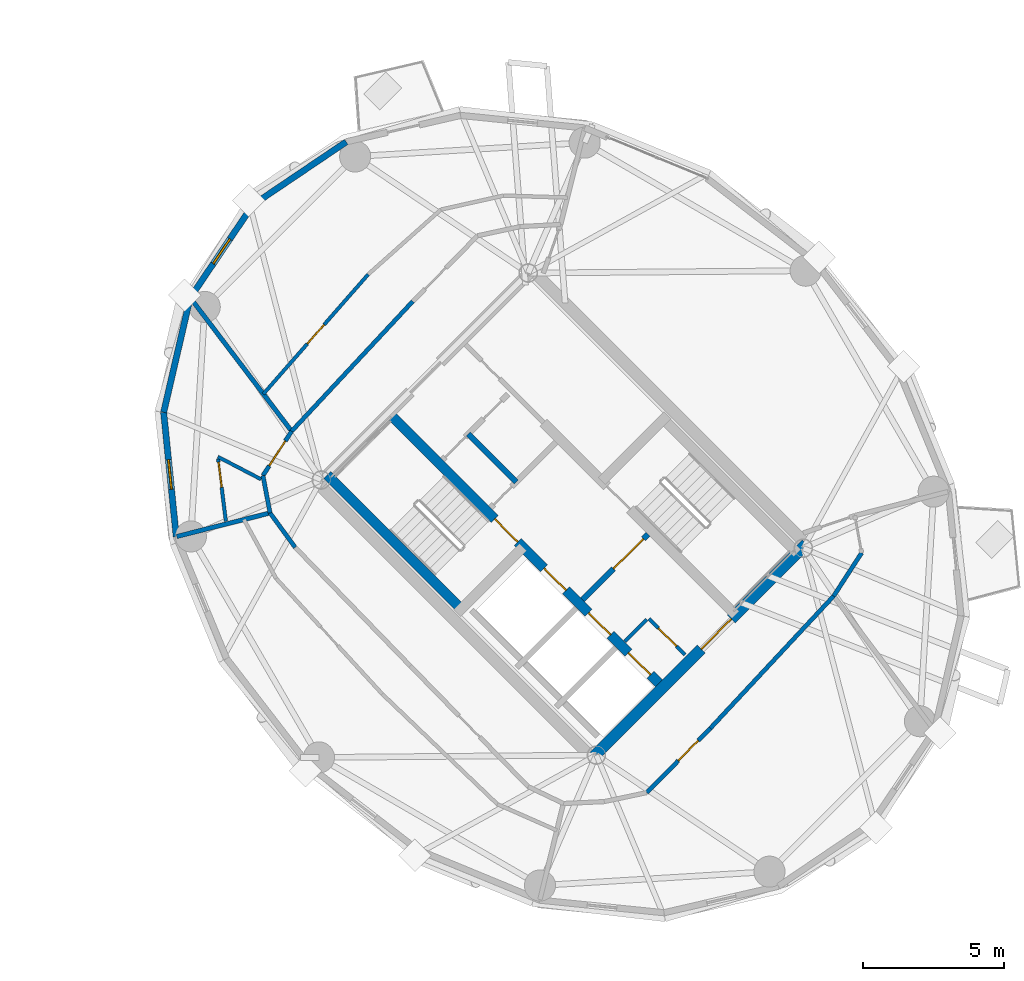
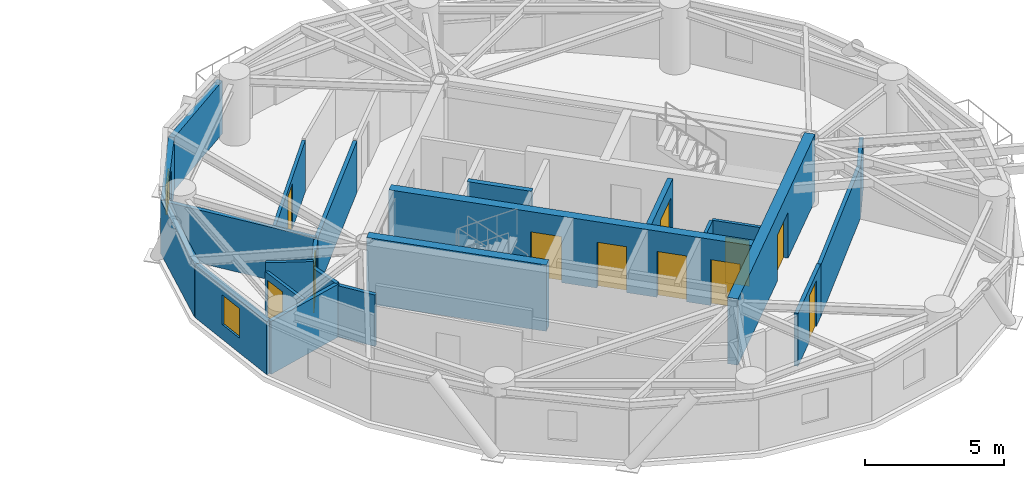
# One storey, part 11 of 16: 23 walls, 11 doors, 2 windows, 13 openings.
"""IFC4 building model written with IfcOpenShell, lengths in metres."""

from ifc_helpers import new_model, si_unit, direction, frame, frame_2d, origin, place, context, subcontext, project, spatial, rectangle, extrude, source, transform, mapped, material, layer, layer_set, type_object, element, fill, save


model = new_model("IFC4")

# Units and contexts
model_context = context("Model", 3, precision=1e-05, world=origin(), true_north=direction((0.0, 1.0)))
body_context = subcontext(model_context, "Body", "Model", "MODEL_VIEW")
ifc_project = project(units=[si_unit("LENGTHUNIT", "METRE"), si_unit("AREAUNIT", "SQUARE_METRE"), si_unit("VOLUMEUNIT", "CUBIC_METRE"), si_unit("PLANEANGLEUNIT", "RADIAN"), si_unit("MASSUNIT", "GRAM", prefix="KILO")], contexts=[model_context])

# Site, building, storey
site_placement = place(None, origin())
site = spatial("IfcSite", under=ifc_project, at=site_placement, CompositionType="ELEMENT")
building_placement = place(site_placement, origin())
building = spatial("IfcBuilding", under=site, at=building_placement, Name="Cununo Teusaquillo Station Towers", CompositionType="ELEMENT")
storey_placement = place(building_placement, frame((0.0, 0.0, 214.1201171875)))
storey = spatial("IfcBuildingStorey", under=building, at=storey_placement, Name="L68", CompositionType="ELEMENT", Elevation=214.1201171875)

# Wall, openings, doors
ifc_material_1 = material(Name="Concrete C50/60", Category="concrete")
ifc_layer_1 = layer(ifc_material_1, 0.35009765625)
ifc_layer_set_1 = layer_set([ifc_layer_1], Name="Concrete C50/60")
wall_type_1 = type_object("IfcWallType", Name="WL-CORE-350", PredefinedType="SHEAR", material=ifc_layer_set_1)
wall_1_placement = place(storey_placement, frame((61.060302734375, 18.372802734375, 0.0), z_axis=(0.0, 0.0, 1.0), x_axis=(-0.707106781187, 0.707106781187, 0.0)))
wall_1 = element("IfcWall", 1, at=wall_1_placement, inside=storey, type_object=wall_type_1, Name="L68 Tower B Core Shear Wall IW", PredefinedType="SHEAR", context=body_context, shape_type="SweptSolid", body=[
    extrude(rectangle(XDim=13.7001953125, YDim=0.35009765625, at=frame_2d((6.85009765625, 0.0))), origin(), (0.0, 0.0, 1.0), 2.909912109375),
])
shared_shape_1 = source(origin(), body_context, "Body", "SweptSolid", [
    extrude(rectangle(XDim=1.10009765625, YDim=2.014892578125, at=frame_2d((0.550048828125, 1.00732421875))), frame((0.0, 0.18505859375, 0.0), z_axis=(0.0, -1.0, 0.0), x_axis=(1.0, 0.0, 0.0)), (0.0, 0.0, 1.0), 0.3701171875),
])
opening_1_placement = place(wall_1_placement, frame((4.85009765625, 0.0, 0.0)))
opening_1 = element("IfcOpeningElement", 2, at=opening_1_placement, cuts=wall_1, Name="Opening LD-01", PredefinedType="OPENING", context=body_context, shape_type="MappedRepresentation", body=[
    mapped(shared_shape_1, transform((0.0, 0.0, 0.0), x_axis=(1.0, 0.0, 0.0), y_axis=(0.0, 1.0, 0.0), z_axis=(0.0, 0.0, 1.0), scale=1.0)),
])
opening_2_placement = place(wall_1_placement, frame((0.625, 0.0, 0.0)))
opening_2 = element("IfcOpeningElement", 3, at=opening_2_placement, cuts=wall_1, Name="Opening LD-01", PredefinedType="OPENING", context=body_context, shape_type="MappedRepresentation", body=[
    mapped(shared_shape_1, transform((0.0, 0.0, 0.0), x_axis=(1.0, 0.0, 0.0), y_axis=(0.0, 1.0, 0.0), z_axis=(0.0, 0.0, 1.0), scale=1.0)),
])
opening_3_placement = place(wall_1_placement, frame((2.625, 0.0, 0.0)))
opening_3 = element("IfcOpeningElement", 4, at=opening_3_placement, cuts=wall_1, Name="Opening LD-01", PredefinedType="OPENING", context=body_context, shape_type="MappedRepresentation", body=[
    mapped(shared_shape_1, transform((0.0, 0.0, 0.0), x_axis=(1.0, 0.0, 0.0), y_axis=(0.0, 1.0, 0.0), z_axis=(0.0, 0.0, 1.0), scale=1.0)),
])
shared_shape_2 = source(origin(), body_context, "Body", "SweptSolid", [
    extrude(rectangle(XDim=1.14990234375, YDim=2.02001953125, at=frame_2d((0.574951171875, 1.010009765625))), frame((0.0, 0.18505859375, 0.0), z_axis=(0.0, -1.0, 0.0), x_axis=(1.0, 0.0, 0.0)), (0.0, 0.0, 1.0), 0.3701171875),
])
opening_4_placement = place(wall_1_placement, frame((7.27001953125, 0.0, 0.0)))
opening_4 = element("IfcOpeningElement", 5, at=opening_4_placement, cuts=wall_1, Name="Opening D-ST1", PredefinedType="OPENING", context=body_context, shape_type="MappedRepresentation", body=[
    mapped(shared_shape_2, transform((0.0, 0.0, 0.0), x_axis=(1.0, 0.0, 0.0), y_axis=(0.0, 1.0, 0.0), z_axis=(0.0, 0.0, 1.0), scale=1.0)),
])
ifc_material_2 = material(Name="Galvanised fire-rated hollow steel door assembly", Category="steel")
door_type_1 = type_object("IfcDoorType", Name="DR-LIFT-1100", OperationType="SLIDING_TO_LEFT", PredefinedType="DOOR", material=ifc_material_2)
shared_shape_3 = source(origin(), body_context, "Body", "SweptSolid", [
    extrude(rectangle(XDim=1.10009765625, YDim=2.014892578125, at=frame_2d((0.550048828125, 1.00732421875))), frame((0.0, 0.02490234375, 0.0), z_axis=(0.0, -1.0, 0.0), x_axis=(1.0, 0.0, 0.0)), (0.0, 0.0, 1.0), 0.050048828125),
])
door_1_placement = place(opening_1_placement, origin())
door_1 = element("IfcDoor", 6, at=door_1_placement, inside=storey, type_object=door_type_1, Name="L68 Lift FL-T2 Sliding Landing Door", OperationType="SLIDING_TO_RIGHT", OverallHeight=2.014892578125, OverallWidth=1.10009765625, PredefinedType="DOOR", context=body_context, shape_type="MappedRepresentation", body=[
    mapped(shared_shape_3, transform((0.0, 0.0, 0.0), x_axis=(1.0, 0.0, 0.0), y_axis=(0.0, 1.0, 0.0), z_axis=(0.0, 0.0, 1.0), scale=1.0)),
])
fill(opening_1, door_1)
door_2_placement = place(opening_2_placement, origin())
door_2 = element("IfcDoor", 7, at=door_2_placement, inside=storey, type_object=door_type_1, Name="L68 Lift PL-T2-H1 Sliding Landing Door", OperationType="SLIDING_TO_RIGHT", OverallHeight=2.014892578125, OverallWidth=1.10009765625, PredefinedType="DOOR", context=body_context, shape_type="MappedRepresentation", body=[
    mapped(shared_shape_3, transform((0.0, 0.0, 0.0), x_axis=(1.0, 0.0, 0.0), y_axis=(0.0, 1.0, 0.0), z_axis=(0.0, 0.0, 1.0), scale=1.0)),
])
fill(opening_2, door_2)
door_3_placement = place(opening_3_placement, origin())
door_3 = element("IfcDoor", 8, at=door_3_placement, inside=storey, type_object=door_type_1, Name="L68 Lift PL-T2-H2 Sliding Landing Door", OperationType="SLIDING_TO_LEFT", OverallHeight=2.014892578125, OverallWidth=1.10009765625, PredefinedType="DOOR", context=body_context, shape_type="MappedRepresentation", body=[
    mapped(shared_shape_3, transform((0.0, 0.0, 0.0), x_axis=(1.0, 0.0, 0.0), y_axis=(0.0, 1.0, 0.0), z_axis=(0.0, 0.0, 1.0), scale=1.0)),
])
fill(opening_3, door_3)
ifc_material_3 = material(Name="Galvanised fire-rated hollow steel door assembly", Category="steel")
door_type_2 = type_object("IfcDoorType", Name="DR-STAIR-1150", OperationType="NOTDEFINED", PredefinedType="DOOR", material=ifc_material_3)
shared_shape_4 = source(origin(), body_context, "Body", "SweptSolid", [
    extrude(rectangle(XDim=1.14990234375, YDim=2.02001953125, at=frame_2d((0.574951171875, 1.010009765625))), frame((0.0, 0.02490234375, 0.0), z_axis=(0.0, -1.0, 0.0), x_axis=(1.0, 0.0, 0.0)), (0.0, 0.0, 1.0), 0.050048828125),
])
door_4_placement = place(opening_4_placement, origin())
door_4 = element("IfcDoor", 9, at=door_4_placement, inside=storey, type_object=door_type_2, Name="L68 Tower B Exit Stair 1 Fire Door", OperationType="SINGLE_SWING_LEFT", OverallHeight=2.02001953125, OverallWidth=1.14990234375, PredefinedType="DOOR", context=body_context, shape_type="MappedRepresentation", body=[
    mapped(shared_shape_4, transform((0.0, 0.0, 0.0), x_axis=(1.0, 0.0, 0.0), y_axis=(0.0, 1.0, 0.0), z_axis=(0.0, 0.0, 1.0), scale=1.0)),
])
fill(opening_4, door_4)

# Wall
wall_2_placement = place(storey_placement, frame((53.922119140625, 21.14111328125, 0.0), z_axis=(0.0, 0.0, 1.0), x_axis=(-0.707106781187, 0.707106781187, 0.0)))
element("IfcWall", 10, at=wall_2_placement, inside=storey, type_object=wall_type_1, Name="L68 Tower B Core Shear Wall ST1W", PredefinedType="SHEAR", context=body_context, shape_type="SweptSolid", body=[
    extrude(rectangle(XDim=6.695068359375, YDim=0.35009765625, at=frame_2d((3.34765625, 0.0))), origin(), (0.0, 0.0, 1.0), 2.909912109375),
])

# Wall, opening, door
ifc_material_4 = material(Name="Concrete C50/60", Category="concrete")
ifc_layer_2 = layer(ifc_material_4, 0.39990234375)
ifc_layer_set_2 = layer_set([ifc_layer_2], Name="Concrete C50/60")
wall_type_2 = type_object("IfcWallType", Name="WL-CORE-400", PredefinedType="SHEAR", material=ifc_layer_set_2)
wall_3_placement = place(storey_placement, frame((58.560791015625, 15.873291015625, 0.0), z_axis=(0.0, 0.0, 1.0), x_axis=(0.707106781187, 0.707106781187, 0.0)))
wall_3 = element("IfcWall", 11, at=wall_3_placement, inside=storey, type_object=wall_type_2, Name="L68 Tower B Core Shear Wall S", PredefinedType="SHEAR", context=body_context, shape_type="SweptSolid", body=[
    extrude(rectangle(XDim=10.69970703125, YDim=0.39990234375, at=frame_2d((5.349853515625, 0.0))), origin(), (0.0, 0.0, 1.0), 2.909912109375),
])
shared_shape_5 = source(origin(), body_context, "Body", "SweptSolid", [
    extrude(rectangle(XDim=1.5, YDim=2.02001953125, at=frame_2d((0.75, 1.010009765625))), frame((0.0, 0.2099609375, 0.0), z_axis=(0.0, -1.0, 0.0), x_axis=(1.0, 0.0, 0.0)), (0.0, 0.0, 1.0), 0.419921875),
])
opening_5_placement = place(wall_3_placement, frame((5.449951171875, 0.0, 0.0)))
opening_5 = element("IfcOpeningElement", 12, at=opening_5_placement, cuts=wall_3, Name="Opening D-LB1", PredefinedType="OPENING", context=body_context, shape_type="MappedRepresentation", body=[
    mapped(shared_shape_5, transform((0.0, 0.0, 0.0), x_axis=(1.0, 0.0, 0.0), y_axis=(0.0, 1.0, 0.0), z_axis=(0.0, 0.0, 1.0), scale=1.0)),
])
ifc_material_5 = material(Name="Galvanised fire-rated hollow steel door assembly", Category="steel")
door_type_3 = type_object("IfcDoorType", Name="DR-LOBBY-1500", OperationType="DOUBLE_DOOR_SINGLE_SWING", PredefinedType="DOOR", material=ifc_material_5)
shared_shape_6 = source(origin(), body_context, "Body", "SweptSolid", [
    extrude(rectangle(XDim=1.5, YDim=2.02001953125, at=frame_2d((0.75, 1.010009765625))), frame((0.0, 0.02490234375, 0.0), z_axis=(0.0, -1.0, 0.0), x_axis=(1.0, 0.0, 0.0)), (0.0, 0.0, 1.0), 0.050048828125),
])
door_5_placement = place(opening_5_placement, origin())
door_5 = element("IfcDoor", 13, at=door_5_placement, inside=storey, type_object=door_type_3, Name="L68 Tower B South Core Lift Lobby Door", OperationType="DOUBLE_DOOR_SINGLE_SWING", OverallHeight=2.02001953125, OverallWidth=1.5, PredefinedType="DOOR", context=body_context, shape_type="MappedRepresentation", body=[
    mapped(shared_shape_6, transform((0.0, 0.0, 0.0), x_axis=(1.0, 0.0, 0.0), y_axis=(0.0, 1.0, 0.0), z_axis=(0.0, 0.0, 1.0), scale=1.0)),
])
fill(opening_5, door_5)

# Wall
ifc_material_6 = material(Name="Precast concrete C40/50", Category="concrete")
ifc_layer_3 = layer(ifc_material_6, 0.219970703125)
ifc_layer_set_3 = layer_set([ifc_layer_3], Name="Precast concrete C40/50")
wall_type_3 = type_object("IfcWallType", Name="WL-EXT-220", PredefinedType="SOLIDWALL", material=ifc_layer_set_3)
wall_4_placement = place(storey_placement, frame((46.56103515625, 35.43896484375, 0.0), z_axis=(0.0, 0.0, 1.0), x_axis=(0.828833723692, 0.559495003079, 0.0)))
element("IfcWall", 14, at=wall_4_placement, inside=storey, type_object=wall_type_3, Name="L68 Tower B Exterior Facade Wall C04", PredefinedType="SOLIDWALL", context=body_context, shape_type="SweptSolid", body=[
    extrude(rectangle(XDim=3.9755859375, YDim=0.219970703125, at=frame_2d((1.98779296875, 0.0))), origin(), (0.0, 0.0, 1.0), 2.32177734375),
])

# Wall, opening, window
wall_5_placement = place(storey_placement, frame((44.336669921875, 32.143798828125, 0.0), z_axis=(0.0, 0.0, 1.0), x_axis=(0.559495003079, 0.828833723692, 0.0)))
wall_5 = element("IfcWall", 15, at=wall_5_placement, inside=storey, type_object=wall_type_3, Name="L68 Tower B Exterior Facade Wall C05", PredefinedType="SOLIDWALL", context=body_context, shape_type="SweptSolid", body=[
    extrude(rectangle(XDim=3.9755859375, YDim=0.219970703125, at=frame_2d((1.98779296875, 0.0))), origin(), (0.0, 0.0, 1.0), 2.32177734375),
])
shared_shape_7 = source(origin(), body_context, "Body", "SweptSolid", [
    extrude(rectangle(XDim=1.050048828125, YDim=1.300048828125, at=frame_2d((0.52490234375, 0.64990234375))), frame((0.0, 0.119873046875, 0.0), z_axis=(0.0, -1.0, 0.0), x_axis=(1.0, 0.0, 0.0)), (0.0, 0.0, 1.0), 0.239990234375),
])
opening_6_placement = place(wall_5_placement, frame((1.462890625, 0.0, 0.64990234375)))
opening_6 = element("IfcOpeningElement", 16, at=opening_6_placement, cuts=wall_5, Name="Opening WN-04", PredefinedType="OPENING", context=body_context, shape_type="MappedRepresentation", body=[
    mapped(shared_shape_7, transform((0.0, 0.0, 0.0), x_axis=(1.0, 0.0, 0.0), y_axis=(0.0, 1.0, 0.0), z_axis=(0.0, 0.0, 1.0), scale=1.0)),
])
ifc_material_7 = material(Name="Operable acoustic tinted low-E double glazing", Category="glass")
window_type = type_object("IfcWindowType", Name="WIN-BAL-1050", PartitioningType="SINGLE_PANEL", PredefinedType="WINDOW", material=ifc_material_7)
shared_shape_8 = source(origin(), body_context, "Body", "SweptSolid", [
    extrude(rectangle(XDim=1.050048828125, YDim=1.300048828125, at=frame_2d((0.52490234375, 0.64990234375))), frame((0.0, 0.030029296875, 0.0), z_axis=(0.0, -1.0, 0.0), x_axis=(1.0, 0.0, 0.0)), (0.0, 0.0, 1.0), 0.06005859375),
])
window_1_placement = place(opening_6_placement, origin())
window_1 = element("IfcWindow", 17, at=window_1_placement, inside=storey, type_object=window_type, Name="L68 Tower B Facade Window C05", OverallHeight=1.300048828125, OverallWidth=1.050048828125, PartitioningType="SINGLE_PANEL", PredefinedType="WINDOW", context=body_context, shape_type="MappedRepresentation", body=[
    mapped(shared_shape_8, transform((0.0, 0.0, 0.0), x_axis=(1.0, 0.0, 0.0), y_axis=(0.0, 1.0, 0.0), z_axis=(0.0, 0.0, 1.0), scale=1.0)),
])
fill(opening_6, window_1)

# Wall
wall_6_placement = place(storey_placement, frame((43.40087890625, 28.100341796875, 0.0), z_axis=(0.0, 0.0, 1.0), x_axis=(0.225473813158, 0.974249228678, 0.0)))
element("IfcWall", 18, at=wall_6_placement, inside=storey, type_object=wall_type_3, Name="L68 Tower B Exterior Facade Wall C06", PredefinedType="SOLIDWALL", context=body_context, shape_type="SweptSolid", body=[
    extrude(rectangle(XDim=4.150390625, YDim=0.219970703125, at=frame_2d((2.0751953125, 0.0))), origin(), (0.0, 0.0, 1.0), 2.32177734375),
])

# Wall, opening, window
wall_7_placement = place(storey_placement, frame((43.84521484375, 23.70458984375, 0.0), z_axis=(0.0, 0.0, 1.0), x_axis=(-0.100570534541, 0.994929930991, 0.0)))
wall_7 = element("IfcWall", 19, at=wall_7_placement, inside=storey, type_object=wall_type_3, Name="L68 Tower B Exterior Facade Wall C07", PredefinedType="SOLIDWALL", context=body_context, shape_type="SweptSolid", body=[
    extrude(rectangle(XDim=4.418212890625, YDim=0.219970703125, at=frame_2d((2.208984375, 0.0))), origin(), (0.0, 0.0, 1.0), 2.32177734375),
])
opening_7_placement = place(wall_7_placement, frame((1.68408203125, 0.0, 0.64990234375)))
opening_7 = element("IfcOpeningElement", 20, at=opening_7_placement, cuts=wall_7, Name="Opening WN-04", PredefinedType="OPENING", context=body_context, shape_type="MappedRepresentation", body=[
    mapped(shared_shape_7, transform((0.0, 0.0, 0.0), x_axis=(1.0, 0.0, 0.0), y_axis=(0.0, 1.0, 0.0), z_axis=(0.0, 0.0, 1.0), scale=1.0)),
])
window_2_placement = place(opening_7_placement, origin())
window_2 = element("IfcWindow", 21, at=window_2_placement, inside=storey, type_object=window_type, Name="L68 Tower B Facade Window C07", OverallHeight=1.300048828125, OverallWidth=1.050048828125, PartitioningType="SINGLE_PANEL", PredefinedType="WINDOW", context=body_context, shape_type="MappedRepresentation", body=[
    mapped(shared_shape_8, transform((0.0, 0.0, 0.0), x_axis=(1.0, 0.0, 0.0), y_axis=(0.0, 1.0, 0.0), z_axis=(0.0, 0.0, 1.0), scale=1.0)),
])
fill(opening_7, window_2)

# Wall, opening, door
ifc_material_8 = material(Name="Fire-rated gypsum plasterboard partition assembly", Category="gypsum")
ifc_layer_4 = layer(ifc_material_8, 0.125)
ifc_layer_set_4 = layer_set([ifc_layer_4], Name="Fire-rated gypsum plasterboard partition assembly")
wall_type_4 = type_object("IfcWallType", Name="WL-PART-125", PredefinedType="PARTITIONING", material=ifc_layer_set_4)
wall_8_placement = place(storey_placement, frame((61.834716796875, 19.529052734375, 0.0), z_axis=(0.0, 0.0, 1.0), x_axis=(-0.707174592913, 0.707038962956, 0.0)))
wall_8 = element("IfcWall", 22, at=wall_8_placement, inside=storey, type_object=wall_type_4, Name="L68 Tower B South-West Compact Store East Wall", PredefinedType="PARTITIONING", context=body_context, shape_type="SweptSolid", body=[
    extrude(rectangle(XDim=1.800048828125, YDim=0.125, at=frame_2d((0.89990234375, 0.0))), origin(), (0.0, 0.0, 1.0), 2.684814453125),
])
shared_shape_9 = source(origin(), body_context, "Body", "SweptSolid", [
    extrude(rectangle(XDim=0.89990234375, YDim=2.0048828125, at=frame_2d((0.449951171875, 1.00244140625))), frame((0.0, 0.072509765625, 0.0), z_axis=(0.0, -1.0, 0.0), x_axis=(1.0, 0.0, 0.0)), (0.0, 0.0, 1.0), 0.14501953125),
])
opening_8_placement = place(wall_8_placement, frame((0.419921875, 0.0, 0.0)))
opening_8 = element("IfcOpeningElement", 23, at=opening_8_placement, cuts=wall_8, Name="Opening D-SR1", PredefinedType="OPENING", context=body_context, shape_type="MappedRepresentation", body=[
    mapped(shared_shape_9, transform((0.0, 0.0, 0.0), x_axis=(1.0, 0.0, 0.0), y_axis=(0.0, 1.0, 0.0), z_axis=(0.0, 0.0, 1.0), scale=1.0)),
])
ifc_material_9 = material(Name="Galvanised fire-rated hollow steel door assembly", Category="steel")
door_type_4 = type_object("IfcDoorType", Name="DR-STORE-900", OperationType="NOTDEFINED", PredefinedType="DOOR", material=ifc_material_9)
shared_shape_10 = source(origin(), body_context, "Body", "SweptSolid", [
    extrude(rectangle(XDim=0.89990234375, YDim=2.0048828125, at=frame_2d((0.449951171875, 1.00244140625))), frame((0.0, 0.02490234375, 0.0), z_axis=(0.0, -1.0, 0.0), x_axis=(1.0, 0.0, 0.0)), (0.0, 0.0, 1.0), 0.050048828125),
])
door_6_placement = place(opening_8_placement, origin())
door_6 = element("IfcDoor", 24, at=door_6_placement, inside=storey, type_object=door_type_4, Name="L68 Tower B Core Electrical & Comms Store Door", OperationType="SINGLE_SWING_LEFT", OverallHeight=2.0048828125, OverallWidth=0.89990234375, PredefinedType="DOOR", context=body_context, shape_type="MappedRepresentation", body=[
    mapped(shared_shape_10, transform((0.0, 0.0, 0.0), x_axis=(1.0, 0.0, 0.0), y_axis=(0.0, 1.0, 0.0), z_axis=(0.0, 0.0, 1.0), scale=1.0)),
])
fill(opening_8, door_6)

# Wall
wall_9_placement = place(storey_placement, frame((59.713134765625, 19.99560546875, 0.0), z_axis=(0.0, 0.0, 1.0), x_axis=(0.707217726, 0.706995818963, 0.0)))
element("IfcWall", 25, at=wall_9_placement, inside=storey, type_object=wall_type_4, Name="L68 Tower B South-West Compact Store North Wall", PredefinedType="PARTITIONING", context=body_context, shape_type="SweptSolid", body=[
    extrude(rectangle(XDim=1.10009765625, YDim=0.125, at=frame_2d((0.550048828125, 0.0))), origin(), (0.0, 0.0, 1.0), 2.684814453125),
])

# Wall, opening, door
wall_10_placement = place(storey_placement, frame((50.6337890625, 32.9765625, 0.0), z_axis=(0.0, 0.0, 1.0), x_axis=(-0.659241945747, -0.751930885765, 0.0)))
wall_10 = element("IfcWall", 26, at=wall_10_placement, inside=storey, type_object=wall_type_4, Name="L68 Tower B Summit Champagne & Dining Salon Concentric Partition Wall C05", PredefinedType="PARTITIONING", context=body_context, shape_type="SweptSolid", body=[
    extrude(rectangle(XDim=5.62353515625, YDim=0.125, at=frame_2d((2.811767578125, 0.0))), origin(), (0.0, 0.0, 1.0), 2.2548828125),
])
opening_9_placement = place(wall_10_placement, frame((2.36181640625, 0.0, 0.0)))
opening_9 = element("IfcOpeningElement", 27, at=opening_9_placement, cuts=wall_10, Name="Opening D-IN1", PredefinedType="OPENING", context=body_context, shape_type="MappedRepresentation", body=[
    mapped(shared_shape_9, transform((0.0, 0.0, 0.0), x_axis=(1.0, 0.0, 0.0), y_axis=(0.0, 1.0, 0.0), z_axis=(0.0, 0.0, 1.0), scale=1.0)),
])
ifc_material_10 = material(Name="Acoustic solid-core hardwood leaf assembly", Category="wood")
door_type_5 = type_object("IfcDoorType", Name="DR-INT-900", OperationType="NOTDEFINED", PredefinedType="DOOR", material=ifc_material_10)
door_7_placement = place(opening_9_placement, origin())
door_7 = element("IfcDoor", 28, at=door_7_placement, inside=storey, type_object=door_type_5, Name="L68 Tower B Summit Champagne & Dining Salon Connecting Door", OperationType="SINGLE_SWING_LEFT", OverallHeight=2.0048828125, OverallWidth=0.89990234375, PredefinedType="DOOR", context=body_context, shape_type="MappedRepresentation", body=[
    mapped(shared_shape_10, transform((0.0, 0.0, 0.0), x_axis=(1.0, 0.0, 0.0), y_axis=(0.0, 1.0, 0.0), z_axis=(0.0, 0.0, 1.0), scale=1.0)),
])
fill(opening_9, door_7)

# Wall
wall_11_placement = place(storey_placement, frame((46.843505859375, 25.7314453125, 0.0), z_axis=(0.0, 0.0, 1.0), x_axis=(-0.886802533251, 0.462148533504, 0.0)))
element("IfcWall", 29, at=wall_11_placement, inside=storey, type_object=wall_type_4, Name="L68 Tower B S02 En-suite Side Wall", PredefinedType="PARTITIONING", context=body_context, shape_type="SweptSolid", body=[
    extrude(rectangle(XDim=1.718994140625, YDim=0.125, at=frame_2d((0.859375, 0.0))), origin(), (0.0, 0.0, 1.0), 2.684814453125),
])

# Wall, opening, door
wall_12_placement = place(storey_placement, frame((45.32763671875, 26.456787109375, 0.0), z_axis=(0.0, 0.0, 1.0), x_axis=(0.122605181354, -0.992455525203, 0.0)))
wall_12 = element("IfcWall", 30, at=wall_12_placement, inside=storey, type_object=wall_type_4, Name="L68 Tower B S02 En-suite Back Wall", PredefinedType="PARTITIONING", context=body_context, shape_type="SweptSolid", body=[
    extrude(rectangle(XDim=2.228271484375, YDim=0.125, at=frame_2d((1.1142578125, 0.0))), origin(), (0.0, 0.0, 1.0), 2.32177734375),
])
opening_10_placement = place(wall_12_placement, frame((0.1201171875, 0.0, 0.0)))
opening_10 = element("IfcOpeningElement", 31, at=opening_10_placement, cuts=wall_12, Name="Opening D-IN1", PredefinedType="OPENING", context=body_context, shape_type="MappedRepresentation", body=[
    mapped(shared_shape_9, transform((0.0, 0.0, 0.0), x_axis=(1.0, 0.0, 0.0), y_axis=(0.0, 1.0, 0.0), z_axis=(0.0, 0.0, 1.0), scale=1.0)),
])
door_8_placement = place(opening_10_placement, origin())
door_8 = element("IfcDoor", 32, at=door_8_placement, inside=storey, type_object=door_type_5, Name="L68 Tower B S02 En-suite Bathroom Door", OperationType="SINGLE_SWING_LEFT", OverallHeight=2.0048828125, OverallWidth=0.89990234375, PredefinedType="DOOR", context=body_context, shape_type="MappedRepresentation", body=[
    mapped(shared_shape_10, transform((0.0, 0.0, 0.0), x_axis=(1.0, 0.0, 0.0), y_axis=(0.0, 1.0, 0.0), z_axis=(0.0, 0.0, 1.0), scale=1.0)),
])
fill(opening_10, door_8)

# Wall
ifc_material_11 = material(Name="Fire-rated gypsum plasterboard partition assembly", Category="gypsum")
ifc_layer_5 = layer(ifc_material_11, 0.14990234375)
ifc_layer_set_5 = layer_set([ifc_layer_5], Name="Fire-rated gypsum plasterboard partition assembly")
wall_type_5 = type_object("IfcWallType", Name="WL-PART-150", PredefinedType="PARTITIONING", material=ifc_layer_set_5)
wall_13_placement = place(storey_placement, frame((52.21240234375, 32.0244140625, 0.0), z_axis=(0.0, 0.0, 1.0), x_axis=(-0.682158998173, -0.731203871169, 0.0)))
element("IfcWall", 33, at=wall_13_placement, inside=storey, type_object=wall_type_5, Name="L68 Tower B Corridor Ring Wall C05", PredefinedType="PARTITIONING", context=body_context, shape_type="SweptSolid", body=[
    extrude(rectangle(XDim=6.2822265625, YDim=0.14990234375, at=frame_2d((3.14111328125, 0.0))), origin(), (0.0, 0.0, 1.0), 2.2548828125),
])

# Wall, opening, door
wall_14_placement = place(storey_placement, frame((47.927001953125, 27.430908203125, 0.0), z_axis=(0.0, 0.0, 1.0), x_axis=(-0.543126643356, -0.839650790077, 0.0)))
wall_14 = element("IfcWall", 34, at=wall_14_placement, inside=storey, type_object=wall_type_5, Name="L68 Tower B Corridor Ring Wall C06", PredefinedType="PARTITIONING", context=body_context, shape_type="SweptSolid", body=[
    extrude(rectangle(XDim=1.8681640625, YDim=0.14990234375, at=frame_2d((0.93408203125, 0.0))), origin(), (0.0, 0.0, 1.0), 2.2548828125),
])
shared_shape_11 = source(origin(), body_context, "Body", "SweptSolid", [
    extrude(rectangle(XDim=1.050048828125, YDim=2.014892578125, at=frame_2d((0.52490234375, 1.00732421875))), frame((0.0, 0.0849609375, 0.0), z_axis=(0.0, -1.0, 0.0), x_axis=(1.0, 0.0, 0.0)), (0.0, 0.0, 1.0), 0.169921875),
])
opening_11_placement = place(wall_14_placement, frame((0.4091796875, 0.0, 0.0)))
opening_11 = element("IfcOpeningElement", 35, at=opening_11_placement, cuts=wall_14, Name="Opening D-SU1", PredefinedType="OPENING", context=body_context, shape_type="MappedRepresentation", body=[
    mapped(shared_shape_11, transform((0.0, 0.0, 0.0), x_axis=(1.0, 0.0, 0.0), y_axis=(0.0, 1.0, 0.0), z_axis=(0.0, 0.0, 1.0), scale=1.0)),
])
ifc_material_12 = material(Name="Acoustic solid-core hardwood leaf assembly", Category="wood")
door_type_6 = type_object("IfcDoorType", Name="DR-SUITE-1050", OperationType="NOTDEFINED", PredefinedType="DOOR", material=ifc_material_12)
shared_shape_12 = source(origin(), body_context, "Body", "SweptSolid", [
    extrude(rectangle(XDim=1.050048828125, YDim=2.014892578125, at=frame_2d((0.52490234375, 1.00732421875))), frame((0.0, 0.02490234375, 0.0), z_axis=(0.0, -1.0, 0.0), x_axis=(1.0, 0.0, 0.0)), (0.0, 0.0, 1.0), 0.050048828125),
])
door_9_placement = place(opening_11_placement, origin())
door_9 = element("IfcDoor", 36, at=door_9_placement, inside=storey, type_object=door_type_6, Name="L68 Tower B Crown Horizon Hotel Suite Entrance Door", OperationType="SINGLE_SWING_RIGHT", OverallHeight=2.014892578125, OverallWidth=1.050048828125, PredefinedType="DOOR", context=body_context, shape_type="MappedRepresentation", body=[
    mapped(shared_shape_12, transform((0.0, 0.0, 0.0), x_axis=(1.0, 0.0, 0.0), y_axis=(0.0, 1.0, 0.0), z_axis=(0.0, 0.0, 1.0), scale=1.0)),
])
fill(opening_11, door_9)

# Walls
wall_15_placement = place(storey_placement, frame((46.912353515625, 25.8623046875, 0.0), z_axis=(0.0, 0.0, 1.0), x_axis=(0.186095172215, -0.98253172309, 0.0)))
element("IfcWall", 37, at=wall_15_placement, inside=storey, type_object=wall_type_5, Name="L68 Tower B Corridor Ring Wall C07", PredefinedType="PARTITIONING", context=body_context, shape_type="SweptSolid", body=[
    extrude(rectangle(XDim=1.345947265625, YDim=0.14990234375, at=frame_2d((0.6728515625, 0.0))), origin(), (0.0, 0.0, 1.0), 2.32177734375),
])
wall_16_placement = place(storey_placement, frame((47.162841796875, 24.539794921875, 0.0), z_axis=(0.0, 0.0, 1.0), x_axis=(0.589711902124, -0.807613690135, 0.0)))
element("IfcWall", 38, at=wall_16_placement, inside=storey, type_object=wall_type_5, Name="L68 Tower B Corridor Ring Wall C08", PredefinedType="PARTITIONING", context=body_context, shape_type="SweptSolid", body=[
    extrude(rectangle(XDim=1.507080078125, YDim=0.14990234375, at=frame_2d((0.75341796875, 0.0))), origin(), (0.0, 0.0, 1.0), 2.2548828125),
])

# Wall, opening, door
wall_17_placement = place(storey_placement, frame((60.48388671875, 14.6484375, 0.0), z_axis=(0.0, 0.0, 1.0), x_axis=(0.703398221944, 0.710795991383, 0.0)))
wall_17 = element("IfcWall", 39, at=wall_17_placement, inside=storey, type_object=wall_type_5, Name="L68 Tower B Corridor Ring Wall C14", PredefinedType="PARTITIONING", context=body_context, shape_type="SweptSolid", body=[
    extrude(rectangle(XDim=3.201171875, YDim=0.14990234375, at=frame_2d((1.6005859375, 0.0))), origin(), (0.0, 0.0, 1.0), 2.32177734375),
])
shared_shape_13 = source(origin(), body_context, "Body", "SweptSolid", [
    extrude(rectangle(XDim=1.0, YDim=2.014892578125, at=frame_2d((0.5, 1.00732421875))), frame((0.0, 0.0849609375, 0.0), z_axis=(0.0, -1.0, 0.0), x_axis=(1.0, 0.0, 0.0)), (0.0, 0.0, 1.0), 0.169921875),
])
opening_12_placement = place(wall_17_placement, frame((1.591064453125, 0.0, 0.0)))
opening_12 = element("IfcOpeningElement", 40, at=opening_12_placement, cuts=wall_17, Name="Opening D-AC1", PredefinedType="OPENING", context=body_context, shape_type="MappedRepresentation", body=[
    mapped(shared_shape_13, transform((0.0, 0.0, 0.0), x_axis=(1.0, 0.0, 0.0), y_axis=(0.0, 1.0, 0.0), z_axis=(0.0, 0.0, 1.0), scale=1.0)),
])
ifc_material_13 = material(Name="Acoustic solid-core hardwood leaf assembly", Category="wood")
door_type_7 = type_object("IfcDoorType", Name="DR-ACC-1000", OperationType="NOTDEFINED", PredefinedType="DOOR", material=ifc_material_13)
shared_shape_14 = source(origin(), body_context, "Body", "SweptSolid", [
    extrude(rectangle(XDim=1.0, YDim=2.014892578125, at=frame_2d((0.5, 1.00732421875))), frame((0.0, 0.02490234375, 0.0), z_axis=(0.0, -1.0, 0.0), x_axis=(1.0, 0.0, 0.0)), (0.0, 0.0, 1.0), 0.050048828125),
])
door_10_placement = place(opening_12_placement, origin())
door_10 = element("IfcDoor", 41, at=door_10_placement, inside=storey, type_object=door_type_7, Name="L68 Tower B Public Accessible Restroom WC Entrance Door", OperationType="SINGLE_SWING_RIGHT", OverallHeight=2.014892578125, OverallWidth=1.0, PredefinedType="DOOR", context=body_context, shape_type="MappedRepresentation", body=[
    mapped(shared_shape_14, transform((0.0, 0.0, 0.0), x_axis=(1.0, 0.0, 0.0), y_axis=(0.0, 1.0, 0.0), z_axis=(0.0, 0.0, 1.0), scale=1.0)),
])
fill(opening_12, door_10)

# Walls
wall_18_placement = place(storey_placement, frame((62.735595703125, 16.923828125, 0.0), z_axis=(0.0, 0.0, 1.0), x_axis=(0.681946700833, 0.731401871219, 0.0)))
element("IfcWall", 42, at=wall_18_placement, inside=storey, type_object=wall_type_5, Name="L68 Tower B Corridor Ring Wall C15", PredefinedType="PARTITIONING", context=body_context, shape_type="SweptSolid", body=[
    extrude(rectangle(XDim=6.392822265625, YDim=0.14990234375, at=frame_2d((3.1962890625, 0.0))), origin(), (0.0, 0.0, 1.0), 2.2548828125),
])
wall_19_placement = place(storey_placement, frame((67.09521484375, 21.599609375, 0.0), z_axis=(0.0, 0.0, 1.0), x_axis=(0.543773190184, 0.839232219137, 0.0)))
element("IfcWall", 43, at=wall_19_placement, inside=storey, type_object=wall_type_5, Name="L68 Tower B Corridor Ring Wall C16", PredefinedType="PARTITIONING", context=body_context, shape_type="SweptSolid", body=[
    extrude(rectangle(XDim=1.82275390625, YDim=0.14990234375, at=frame_2d((0.911376953125, 0.0))), origin(), (0.0, 0.0, 1.0), 2.2548828125),
])
ifc_material_14 = material(Name="Fire-rated gypsum plasterboard partition assembly", Category="gypsum")
ifc_layer_6 = layer(ifc_material_14, 0.159912109375)
ifc_layer_set_6 = layer_set([ifc_layer_6], Name="Fire-rated gypsum plasterboard partition assembly")
wall_type_6 = type_object("IfcWallType", Name="WL-PART-160", PredefinedType="PARTITIONING", material=ifc_layer_set_6)
wall_20_placement = place(storey_placement, frame((47.927001953125, 27.430908203125, 0.0), z_axis=(0.0, 0.0, 1.0), x_axis=(-0.604823333103, 0.796359677366, 0.0)))
element("IfcWall", 44, at=wall_20_placement, inside=storey, type_object=wall_type_6, Name="L68 Tower B Radial Suite Partition R02", PredefinedType="PARTITIONING", context=body_context, shape_type="SweptSolid", body=[
    extrude(rectangle(XDim=5.90673828125, YDim=0.159912109375, at=frame_2d((2.953369140625, 0.0))), origin(), (0.0, 0.0, 1.0), 2.32177734375),
])
wall_21_placement = place(storey_placement, frame((47.162841796875, 24.539794921875, 0.0), z_axis=(0.0, 0.0, 1.0), x_axis=(-0.9696166611, -0.244629373781, 0.0)))
element("IfcWall", 45, at=wall_21_placement, inside=storey, type_object=wall_type_6, Name="L68 Tower B Radial Suite Partition R03", PredefinedType="PARTITIONING", context=body_context, shape_type="SweptSolid", body=[
    extrude(rectangle(XDim=3.401123046875, YDim=0.159912109375, at=frame_2d((1.70068359375, 0.0))), origin(), (0.0, 0.0, 1.0), 2.32177734375),
])

# Wall, opening, door
ifc_material_15 = material(Name="Fire-rated gypsum plasterboard partition assembly", Category="gypsum")
ifc_layer_7 = layer(ifc_material_15, 0.199951171875)
ifc_layer_set_7 = layer_set([ifc_layer_7], Name="Fire-rated gypsum plasterboard partition assembly")
wall_type_7 = type_object("IfcWallType", Name="WL-PART-200", PredefinedType="PARTITIONING", material=ifc_layer_set_7)
wall_22_placement = place(storey_placement, frame((58.214111328125, 21.466552734375, 0.0), z_axis=(0.0, 0.0, 1.0), x_axis=(0.707106781187, 0.707106781187, 0.0)))
wall_22 = element("IfcWall", 46, at=wall_22_placement, inside=storey, type_object=wall_type_7, Name="L68 Tower B Firefighting Lift Lobby South Fire Wall", PredefinedType="PARTITIONING", context=body_context, shape_type="SweptSolid", body=[
    extrude(rectangle(XDim=3.280029296875, YDim=0.199951171875, at=frame_2d((1.64013671875, 0.0))), origin(), (0.0, 0.0, 1.0), 2.684814453125),
])
shared_shape_15 = source(origin(), body_context, "Body", "SweptSolid", [
    extrude(rectangle(XDim=1.5, YDim=2.02001953125, at=frame_2d((0.75, 1.010009765625))), frame((0.0, 0.10986328125, 0.0), z_axis=(0.0, -1.0, 0.0), x_axis=(1.0, 0.0, 0.0)), (0.0, 0.0, 1.0), 0.219970703125),
])
opening_13_placement = place(wall_22_placement, frame((1.550048828125, 0.0, 0.0)))
opening_13 = element("IfcOpeningElement", 47, at=opening_13_placement, cuts=wall_22, Name="Opening D-LB1", PredefinedType="OPENING", context=body_context, shape_type="MappedRepresentation", body=[
    mapped(shared_shape_15, transform((0.0, 0.0, 0.0), x_axis=(1.0, 0.0, 0.0), y_axis=(0.0, 1.0, 0.0), z_axis=(0.0, 0.0, 1.0), scale=1.0)),
])
door_11_placement = place(opening_13_placement, origin())
door_11 = element("IfcDoor", 48, at=door_11_placement, inside=storey, type_object=door_type_3, Name="L68 Tower B Firefighting Lift Lobby South Fire Door", OperationType="DOUBLE_DOOR_SINGLE_SWING", OverallHeight=2.02001953125, OverallWidth=1.5, PredefinedType="DOOR", context=body_context, shape_type="MappedRepresentation", body=[
    mapped(shared_shape_6, transform((0.0, 0.0, 0.0), x_axis=(1.0, 0.0, 0.0), y_axis=(0.0, 1.0, 0.0), z_axis=(0.0, 0.0, 1.0), scale=1.0)),
])
fill(opening_13, door_11)

# Wall
wall_23_placement = place(storey_placement, frame((55.873779296875, 25.63134765625, 0.0), z_axis=(0.0, 0.0, 1.0), x_axis=(-0.707157639372, 0.707055919343, 0.0)))
element("IfcWall", 49, at=wall_23_placement, inside=storey, type_object=wall_type_7, Name="L68 Tower B Stair 1 Vestibule Partition Wall", PredefinedType="PARTITIONING", context=body_context, shape_type="SweptSolid", body=[
    extrude(rectangle(XDim=2.400146484375, YDim=0.199951171875, at=frame_2d((1.2001953125, 0.0))), origin(), (0.0, 0.0, 1.0), 2.684814453125),
])

save(model, "model.ifc")
